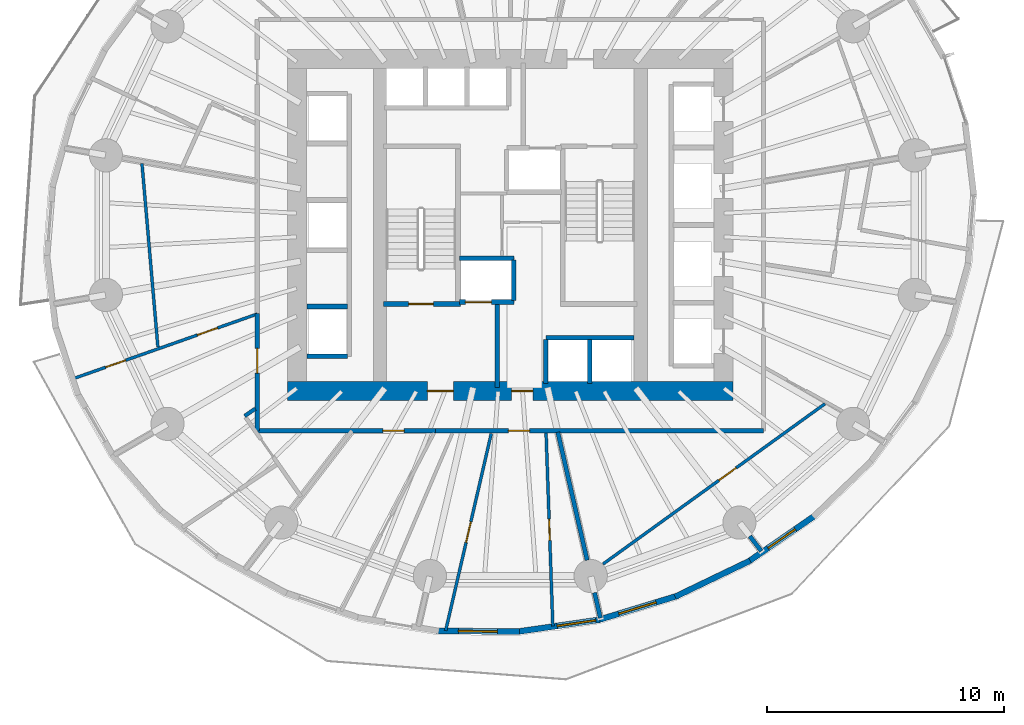
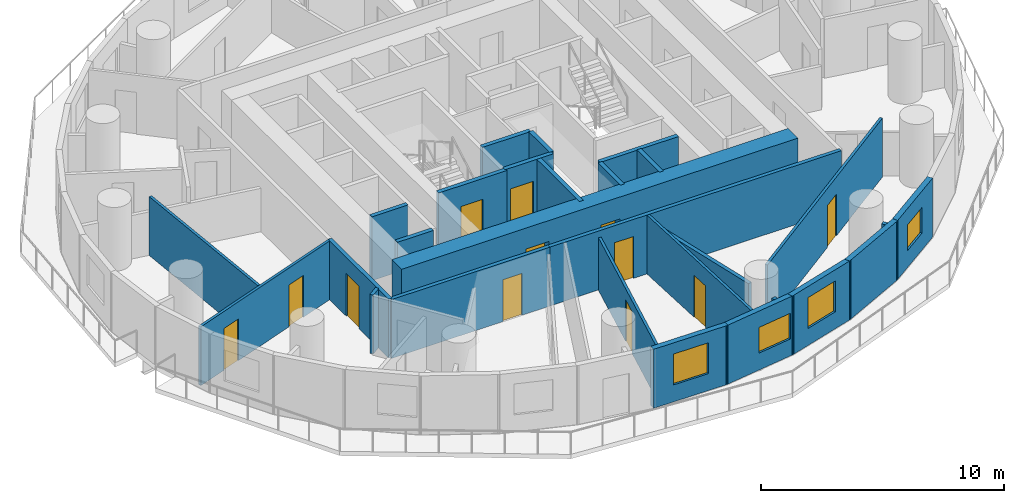
# One storey, part 5 of 13: 28 walls, 12 doors, 4 windows, 16 openings.
"""IFC4 building model written with IfcOpenShell, lengths in metres."""

from ifc_helpers import new_model, si_unit, direction, frame, frame_2d, origin, place, context, subcontext, project, spatial, rectangle, extrude, material, layer, layer_set, type_object, element, fill, save


model = new_model("IFC4")

# Units and contexts
model_context = context("Model", 3, precision=1e-05, world=origin(), true_north=direction((0.0, 1.0)))
body_context = subcontext(model_context, "Body", "Model", "MODEL_VIEW")
ifc_project = project(units=[si_unit("LENGTHUNIT", "METRE"), si_unit("AREAUNIT", "SQUARE_METRE"), si_unit("VOLUMEUNIT", "CUBIC_METRE"), si_unit("PLANEANGLEUNIT", "RADIAN"), si_unit("MASSUNIT", "GRAM", prefix="KILO")], contexts=[model_context])

# Site, building, storey
site_placement = place(None, origin())
site = spatial("IfcSite", under=ifc_project, at=site_placement, CompositionType="ELEMENT")
building_placement = place(site_placement, origin())
building = spatial("IfcBuilding", under=site, at=building_placement, Name="Veldorim Arch Residences", CompositionType="ELEMENT")
storey_placement = place(building_placement, frame((0.0, 0.0, 53.60009765625)))
storey = spatial("IfcBuildingStorey", under=building, at=storey_placement, Name="L15", CompositionType="ELEMENT", Elevation=53.60009765625)

# Wall, opening, door
ifc_material_1 = material(Name="Acoustic Gypsum Board", Category="gypsum")
ifc_layer_1 = layer(ifc_material_1, 0.125, Name="Acoustic Stud Room Partition Wall 125")
ifc_layer_set_1 = layer_set([ifc_layer_1], Name="Acoustic Gypsum Board")
wall_type_1 = type_object("IfcWallType", Name="Acoustic Stud Room Partition Wall 125", PredefinedType="PARTITIONING", material=ifc_layer_set_1)
wall_1_placement = place(storey_placement, frame((33.5087890625, 15.22021484375, 0.0), z_axis=(0.0, 0.0, 1.0), x_axis=(0.035033610305, -0.999386134659, 0.0)))
wall_1 = element("IfcWall", 1, at=wall_1_placement, inside=storey, type_object=wall_type_1, Name="L15 interior wall WL-RES-L15-010", PredefinedType="PARTITIONING", context=body_context, shape_type="SweptSolid", body=[
    extrude(rectangle(XDim=8.153564453125, YDim=0.125, at=frame_2d((4.07666015625, 0.0))), origin(), (0.0, 0.0, 1.0), 2.954833984375),
])
opening_1_placement = place(wall_1_placement, frame((3.626708984375, 0.0, 0.0)))
opening_1 = element("IfcOpeningElement", 2, at=opening_1_placement, cuts=wall_1, Name="Opening DR-INT", PredefinedType="OPENING", context=body_context, shape_type="SweptSolid", body=[
    extrude(rectangle(XDim=0.89990234375, YDim=2.10009765625, at=frame_2d((0.449951171875, 1.050048828125))), frame((0.0, 0.072509765625, 0.0), z_axis=(0.0, -1.0, 0.0), x_axis=(1.0, 0.0, 0.0)), (0.0, 0.0, 1.0), 0.14501953125),
])
ifc_material_2 = material(Name="Engineered Timber", Category="wood")
door_type_1 = type_object("IfcDoorType", Name="Apartment Internal Room Timber Door 900x2100", OperationType="SINGLE_SWING_LEFT", PredefinedType="DOOR", material=ifc_material_2)
door_1_placement = place(opening_1_placement, origin())
door_1 = element("IfcDoor", 3, at=door_1_placement, inside=storey, type_object=door_type_1, Name="L15 interior door DR-RES-L15-003", OperationType="SINGLE_SWING_LEFT", OverallHeight=2.10009765625, OverallWidth=0.89990234375, PredefinedType="DOOR", context=body_context, shape_type="SweptSolid", body=[
    extrude(rectangle(XDim=0.89990234375, YDim=2.10009765625, at=frame_2d((0.449951171875, 1.050048828125))), frame((0.0, 0.02490234375, 0.0), z_axis=(0.0, -1.0, 0.0), x_axis=(1.0, 0.0, 0.0)), (0.0, 0.0, 1.0), 0.050048828125),
])
fill(opening_1, door_1)

wall_2_placement = place(storey_placement, frame((29.27197265625, 6.88623046875, 0.0), z_axis=(0.0, 0.0, 1.0), x_axis=(0.225419243566, 0.974261856294, 0.0)))
wall_2 = element("IfcWall", 4, at=wall_2_placement, inside=storey, type_object=wall_type_1, Name="L15 interior wall WL-RES-L15-011", PredefinedType="PARTITIONING", context=body_context, shape_type="SweptSolid", body=[
    extrude(rectangle(XDim=8.53662109375, YDim=0.125, at=frame_2d((4.268310546875, 0.0))), origin(), (0.0, 0.0, 1.0), 2.641357421875),
])
opening_2_placement = place(wall_2_placement, frame((3.818359375, 0.0, 0.0)))
opening_2 = element("IfcOpeningElement", 5, at=opening_2_placement, cuts=wall_2, Name="Opening DR-INT", PredefinedType="OPENING", context=body_context, shape_type="SweptSolid", body=[
    extrude(rectangle(XDim=0.89990234375, YDim=2.10009765625, at=frame_2d((0.449951171875, 1.050048828125))), frame((0.0, 0.072509765625, 0.0), z_axis=(0.0, -1.0, 0.0), x_axis=(1.0, 0.0, 0.0)), (0.0, 0.0, 1.0), 0.14501953125),
])
door_2_placement = place(opening_2_placement, origin())
door_2 = element("IfcDoor", 6, at=door_2_placement, inside=storey, type_object=door_type_1, Name="L15 interior door DR-RES-L15-004", OperationType="SINGLE_SWING_RIGHT", OverallHeight=2.10009765625, OverallWidth=0.89990234375, PredefinedType="DOOR", context=body_context, shape_type="SweptSolid", body=[
    extrude(rectangle(XDim=0.89990234375, YDim=2.10009765625, at=frame_2d((0.449951171875, 1.050048828125))), frame((0.0, 0.02490234375, 0.0), z_axis=(0.0, -1.0, 0.0), x_axis=(1.0, 0.0, 0.0)), (0.0, 0.0, 1.0), 0.050048828125),
])
fill(opening_2, door_2)

wall_3_placement = place(storey_placement, frame((45.27783203125, 16.458984375, 0.0), z_axis=(0.0, 0.0, 1.0), x_axis=(-0.810668637761, -0.585505217526, 0.0)))
wall_3 = element("IfcWall", 7, at=wall_3_placement, inside=storey, type_object=wall_type_1, Name="L15 interior wall WL-RES-L15-022", PredefinedType="PARTITIONING", context=body_context, shape_type="SweptSolid", body=[
    extrude(rectangle(XDim=11.5498046875, YDim=0.125, at=frame_2d((5.77490234375, 0.0))), origin(), (0.0, 0.0, 1.0), 2.954833984375),
])
opening_3_placement = place(wall_3_placement, frame((4.625, 0.0, 0.0)))
opening_3 = element("IfcOpeningElement", 8, at=opening_3_placement, cuts=wall_3, Name="Opening DR-INT", PredefinedType="OPENING", context=body_context, shape_type="SweptSolid", body=[
    extrude(rectangle(XDim=0.89990234375, YDim=2.10009765625, at=frame_2d((0.449951171875, 1.050048828125))), frame((0.0, 0.072509765625, 0.0), z_axis=(0.0, -1.0, 0.0), x_axis=(1.0, 0.0, 0.0)), (0.0, 0.0, 1.0), 0.14501953125),
])
door_3_placement = place(opening_3_placement, origin())
door_3 = element("IfcDoor", 9, at=door_3_placement, inside=storey, type_object=door_type_1, Name="L15 interior door DR-RES-L15-009", OperationType="SINGLE_SWING_LEFT", OverallHeight=2.10009765625, OverallWidth=0.89990234375, PredefinedType="DOOR", context=body_context, shape_type="SweptSolid", body=[
    extrude(rectangle(XDim=0.89990234375, YDim=2.10009765625, at=frame_2d((0.449951171875, 1.050048828125))), frame((0.0, 0.02490234375, 0.0), z_axis=(0.0, -1.0, 0.0), x_axis=(1.0, 0.0, 0.0)), (0.0, 0.0, 1.0), 0.050048828125),
])
fill(opening_3, door_3)

# Wall, openings, doors
wall_4_placement = place(storey_placement, frame((13.542724609375, 17.514892578125, 0.0), z_axis=(0.0, 0.0, 1.0), x_axis=(0.943466147543, 0.331468895131, 0.0)))
wall_4 = element("IfcWall", 10, at=wall_4_placement, inside=storey, type_object=wall_type_1, Name="L15 interior wall WL-RES-L15-040", PredefinedType="PARTITIONING", context=body_context, shape_type="SweptSolid", body=[
    extrude(rectangle(XDim=8.243408203125, YDim=0.125, at=frame_2d((4.12158203125, 0.0))), origin(), (0.0, 0.0, 1.0), 2.954833984375),
])
opening_4_placement = place(wall_4_placement, frame((1.46337890625, 0.0, 0.0)))
opening_4 = element("IfcOpeningElement", 11, at=opening_4_placement, cuts=wall_4, Name="Opening DR-INT", PredefinedType="OPENING", context=body_context, shape_type="SweptSolid", body=[
    extrude(rectangle(XDim=0.89990234375, YDim=2.10009765625, at=frame_2d((0.449951171875, 1.050048828125))), frame((0.0, 0.072509765625, 0.0), z_axis=(0.0, -1.0, 0.0), x_axis=(1.0, 0.0, 0.0)), (0.0, 0.0, 1.0), 0.14501953125),
])
opening_5_placement = place(wall_4_placement, frame((5.564697265625, 0.0, 0.0)))
opening_5 = element("IfcOpeningElement", 12, at=opening_5_placement, cuts=wall_4, Name="Opening DR-INT", PredefinedType="OPENING", context=body_context, shape_type="SweptSolid", body=[
    extrude(rectangle(XDim=0.89990234375, YDim=2.10009765625, at=frame_2d((0.449951171875, 1.050048828125))), frame((0.0, 0.072509765625, 0.0), z_axis=(0.0, -1.0, 0.0), x_axis=(1.0, 0.0, 0.0)), (0.0, 0.0, 1.0), 0.14501953125),
])
door_4_placement = place(opening_4_placement, origin())
door_4 = element("IfcDoor", 13, at=door_4_placement, inside=storey, type_object=door_type_1, Name="L15 interior door DR-RES-L15-027", OperationType="SINGLE_SWING_LEFT", OverallHeight=2.10009765625, OverallWidth=0.89990234375, PredefinedType="DOOR", context=body_context, shape_type="SweptSolid", body=[
    extrude(rectangle(XDim=0.89990234375, YDim=2.10009765625, at=frame_2d((0.449951171875, 1.050048828125))), frame((0.0, 0.02490234375, 0.0), z_axis=(0.0, -1.0, 0.0), x_axis=(1.0, 0.0, 0.0)), (0.0, 0.0, 1.0), 0.050048828125),
])
fill(opening_4, door_4)
door_5_placement = place(opening_5_placement, origin())
door_5 = element("IfcDoor", 14, at=door_5_placement, inside=storey, type_object=door_type_1, Name="L15 interior door DR-RES-L15-028", OperationType="SINGLE_SWING_RIGHT", OverallHeight=2.10009765625, OverallWidth=0.89990234375, PredefinedType="DOOR", context=body_context, shape_type="SweptSolid", body=[
    extrude(rectangle(XDim=0.89990234375, YDim=2.10009765625, at=frame_2d((0.449951171875, 1.050048828125))), frame((0.0, 0.02490234375, 0.0), z_axis=(0.0, -1.0, 0.0), x_axis=(1.0, 0.0, 0.0)), (0.0, 0.0, 1.0), 0.050048828125),
])
fill(opening_5, door_5)

# Walls
wall_5_placement = place(storey_placement, frame((16.45458984375, 26.60498046875, 0.0), z_axis=(0.0, 0.0, 1.0), x_axis=(0.086414248462, -0.996259292385, 0.0)))
element("IfcWall", 15, at=wall_5_placement, inside=storey, type_object=wall_type_1, Name="L15 interior wall WL-RES-L15-043", PredefinedType="PARTITIONING", context=body_context, shape_type="SweptSolid", body=[
    extrude(rectangle(XDim=7.77783203125, YDim=0.125, at=frame_2d((3.888916015625, 0.0))), origin(), (0.0, 0.0, 1.0), 2.954833984375),
])
ifc_material_3 = material(Name="Lightweight Masonry Block & Gypsum", Category="masonry")
ifc_layer_2 = layer(ifc_material_3, 0.179931640625, Name="Compartment & Corridor Fire-Rated Party Wall 180")
ifc_layer_set_2 = layer_set([ifc_layer_2], Name="Lightweight Masonry Block & Gypsum")
wall_type_2 = type_object("IfcWallType", Name="Compartment & Corridor Fire-Rated Party Wall 180", PredefinedType="PARTITIONING", material=ifc_layer_set_2)
wall_6_placement = place(storey_placement, frame((35.555419921875, 8.48828125, 0.0), z_axis=(0.0, 0.0, 1.0), x_axis=(0.223512485262, -0.974701066446, 0.0)))
element("IfcWall", 16, at=wall_6_placement, inside=storey, type_object=wall_type_2, Name="L15 interior wall WL-PIER-L15-13", PredefinedType="PARTITIONING", context=body_context, shape_type="SweptSolid", body=[
    extrude(rectangle(XDim=1.098876953125, YDim=0.179931640625, at=frame_2d((0.54931640625, 0.0))), origin(), (0.0, 0.0, 1.0), 2.17822265625),
])
wall_7_placement = place(storey_placement, frame((42.106201171875, 10.874267578125, 0.0), z_axis=(0.0, 0.0, 1.0), x_axis=(0.609961416057, -0.792431114307, 0.0)))
element("IfcWall", 17, at=wall_7_placement, inside=storey, type_object=wall_type_2, Name="L15 interior wall WL-PIER-L15-14", PredefinedType="PARTITIONING", context=body_context, shape_type="SweptSolid", body=[
    extrude(rectangle(XDim=0.800048828125, YDim=0.179931640625, at=frame_2d((0.39990234375, 0.0))), origin(), (0.0, 0.0, 1.0), 2.17822265625),
])

# Wall, opening, door
wall_8_placement = place(storey_placement, frame((42.679931640625, 15.320068359375, 0.0), z_axis=(0.0, 0.0, 1.0), x_axis=(-1.0, 0.0, 0.0)))
wall_8 = element("IfcWall", 18, at=wall_8_placement, inside=storey, type_object=wall_type_2, Name="L15 interior wall WL-RES-L15-001", PredefinedType="PARTITIONING", context=body_context, shape_type="SweptSolid", body=[
    extrude(rectangle(XDim=13.8701171875, YDim=0.179931640625, at=frame_2d((6.93505859375, 0.0))), origin(), (0.0, 0.0, 1.0), 2.954833984375),
])
opening_6_placement = place(wall_8_placement, frame((9.865966796875, 0.0, 0.0)))
opening_6 = element("IfcOpeningElement", 19, at=opening_6_placement, cuts=wall_8, Name="Opening DR-SVC", PredefinedType="OPENING", context=body_context, shape_type="SweptSolid", body=[
    extrude(rectangle(XDim=0.89990234375, YDim=2.10009765625, at=frame_2d((0.449951171875, 1.050048828125))), frame((0.0, 0.099853515625, 0.0), z_axis=(0.0, -1.0, 0.0), x_axis=(1.0, 0.0, 0.0)), (0.0, 0.0, 1.0), 0.199951171875),
])
ifc_material_4 = material(Name="Fire-Rated Steel", Category="steel")
door_type_2 = type_object("IfcDoorType", Name="Riser, Shelter & Plant Room Rated Steel Door 900x2100", OperationType="SINGLE_SWING_LEFT", PredefinedType="DOOR", material=ifc_material_4)
door_6_placement = place(opening_6_placement, origin())
door_6 = element("IfcDoor", 20, at=door_6_placement, inside=storey, type_object=door_type_2, Name="L15 interior door DR-RES-L15-001", OperationType="SINGLE_SWING_LEFT", OverallHeight=2.10009765625, OverallWidth=0.89990234375, PredefinedType="DOOR", context=body_context, shape_type="SweptSolid", body=[
    extrude(rectangle(XDim=0.89990234375, YDim=2.10009765625, at=frame_2d((0.449951171875, 1.050048828125))), frame((0.0, 0.02490234375, 0.0), z_axis=(0.0, -1.0, 0.0), x_axis=(1.0, 0.0, 0.0)), (0.0, 0.0, 1.0), 0.050048828125),
])
fill(opening_6, door_6)

wall_9_placement = place(storey_placement, frame((28.852294921875, 15.320068359375, 0.0), z_axis=(0.0, 0.0, 1.0), x_axis=(-1.0, 0.0, 0.0)))
wall_9 = element("IfcWall", 21, at=wall_9_placement, inside=storey, type_object=wall_type_2, Name="L15 interior wall WL-RES-L15-002", PredefinedType="PARTITIONING", context=body_context, shape_type="SweptSolid", body=[
    extrude(rectangle(XDim=7.5322265625, YDim=0.179931640625, at=frame_2d((3.76611328125, 0.0))), origin(), (0.0, 0.0, 1.0), 2.954833984375),
])
opening_7_placement = place(wall_9_placement, frame((1.330322265625, 0.0, 0.0)))
opening_7 = element("IfcOpeningElement", 22, at=opening_7_placement, cuts=wall_9, Name="Opening DR-INT", PredefinedType="OPENING", context=body_context, shape_type="SweptSolid", body=[
    extrude(rectangle(XDim=0.89990234375, YDim=2.10009765625, at=frame_2d((0.449951171875, 1.050048828125))), frame((0.0, 0.099853515625, 0.0), z_axis=(0.0, -1.0, 0.0), x_axis=(1.0, 0.0, 0.0)), (0.0, 0.0, 1.0), 0.199951171875),
])
door_7_placement = place(opening_7_placement, origin())
door_7 = element("IfcDoor", 23, at=door_7_placement, inside=storey, type_object=door_type_1, Name="L15 interior door DR-RES-L15-002", OperationType="SINGLE_SWING_RIGHT", OverallHeight=2.10009765625, OverallWidth=0.89990234375, PredefinedType="DOOR", context=body_context, shape_type="SweptSolid", body=[
    extrude(rectangle(XDim=0.89990234375, YDim=2.10009765625, at=frame_2d((0.449951171875, 1.050048828125))), frame((0.0, 0.02490234375, 0.0), z_axis=(0.0, -1.0, 0.0), x_axis=(1.0, 0.0, 0.0)), (0.0, 0.0, 1.0), 0.050048828125),
])
fill(opening_7, door_7)

wall_10_placement = place(storey_placement, frame((21.320068359375, 15.320068359375, 0.0), z_axis=(0.0, 0.0, 1.0), x_axis=(0.0, 1.0, 0.0)))
wall_10 = element("IfcWall", 24, at=wall_10_placement, inside=storey, type_object=wall_type_2, Name="L15 interior wall WL-RES-L15-009", PredefinedType="PARTITIONING", context=body_context, shape_type="SweptSolid", body=[
    extrude(rectangle(XDim=4.947265625, YDim=0.179931640625, at=frame_2d((2.4736328125, 0.0))), origin(), (0.0, 0.0, 1.0), 2.954833984375),
])
opening_8_placement = place(wall_10_placement, frame((2.43212890625, 0.0, 0.0)))
opening_8 = element("IfcOpeningElement", 25, at=opening_8_placement, cuts=wall_10, Name="Opening DR-FLT", PredefinedType="OPENING", context=body_context, shape_type="SweptSolid", body=[
    extrude(rectangle(XDim=1.050048828125, YDim=2.14990234375, at=frame_2d((0.52490234375, 1.074951171875))), frame((0.0, 0.099853515625, 0.0), z_axis=(0.0, -1.0, 0.0), x_axis=(1.0, 0.0, 0.0)), (0.0, 0.0, 1.0), 0.199951171875),
])
ifc_material_5 = material(Name="Fire-Rated Timber", Category="wood")
door_type_3 = type_object("IfcDoorType", Name="Apartment Entrance Solid-Core Fire Door 1050x2150", OperationType="SINGLE_SWING_LEFT", PredefinedType="DOOR", material=ifc_material_5)
door_8_placement = place(opening_8_placement, origin())
door_8 = element("IfcDoor", 26, at=door_8_placement, inside=storey, type_object=door_type_3, Name="L15 interior door DR-RES-L15-025", OperationType="SINGLE_SWING_LEFT", OverallHeight=2.14990234375, OverallWidth=1.050048828125, PredefinedType="DOOR", context=body_context, shape_type="SweptSolid", body=[
    extrude(rectangle(XDim=1.050048828125, YDim=2.14990234375, at=frame_2d((0.52490234375, 1.074951171875))), frame((0.0, 0.02490234375, 0.0), z_axis=(0.0, -1.0, 0.0), x_axis=(1.0, 0.0, 0.0)), (0.0, 0.0, 1.0), 0.050048828125),
])
fill(opening_8, door_8)

# Wall
wall_11_placement = place(storey_placement, frame((34.0029296875, 15.261474609375, 0.0), z_axis=(0.0, 0.0, 1.0), x_axis=(0.22340578764, -0.974725527546, 0.0)))
element("IfcWall", 27, at=wall_11_placement, inside=storey, type_object=wall_type_2, Name="L15 interior wall WL-RES-L15-014", PredefinedType="PARTITIONING", context=body_context, shape_type="SweptSolid", body=[
    extrude(rectangle(XDim=5.544921875, YDim=0.179931640625, at=frame_2d((2.7724609375, 0.0))), origin(), (0.0, 0.0, 1.0), 2.17822265625),
])

# Wall, opening, door
ifc_material_6 = material(Name="Concrete C50/60", Category="concrete")
ifc_layer_3 = layer(ifc_material_6, 0.199951171875, Name="Core Stair & Lift Shaft Enclosure Wall 200")
ifc_layer_set_3 = layer_set([ifc_layer_3], Name="Concrete C50/60")
wall_type_3 = type_object("IfcWallType", Name="Core Stair & Lift Shaft Enclosure Wall 200", PredefinedType="SHEAR", material=ifc_layer_set_3)
wall_12_placement = place(storey_placement, frame((26.64990234375, 20.669921875, 0.0), z_axis=(0.0, 0.0, 1.0), x_axis=(1.0, 0.0, 0.0)))
wall_12 = element("IfcWall", 28, at=wall_12_placement, inside=storey, type_object=wall_type_3, Name="L15 shaft wall WL-SHF-L15-ST1-S", PredefinedType="SHEAR", context=body_context, shape_type="SweptSolid", body=[
    extrude(rectangle(XDim=3.239990234375, YDim=0.199951171875, at=frame_2d((1.6201171875, 0.0))), origin(), (0.0, 0.0, 1.0), 3.199951171875),
])
opening_9_placement = place(wall_12_placement, frame((1.054931640625, 0.0, 0.0)))
opening_9 = element("IfcOpeningElement", 29, at=opening_9_placement, cuts=wall_12, Name="Opening DR-ST", PredefinedType="OPENING", context=body_context, shape_type="SweptSolid", body=[
    extrude(rectangle(XDim=1.050048828125, YDim=2.14990234375, at=frame_2d((0.52490234375, 1.074951171875))), frame((0.0, 0.10986328125, 0.0), z_axis=(0.0, -1.0, 0.0), x_axis=(1.0, 0.0, 0.0)), (0.0, 0.0, 1.0), 0.219970703125),
])
ifc_material_7 = material(Name="Fire-Rated Steel", Category="steel")
door_type_4 = type_object("IfcDoorType", Name="Exit Staircase Self-Closing Fire Door 1050x2150", OperationType="SINGLE_SWING_LEFT", PredefinedType="DOOR", material=ifc_material_7)
door_9_placement = place(opening_9_placement, origin())
door_9 = element("IfcDoor", 30, at=door_9_placement, inside=storey, type_object=door_type_4, Name="L15 interior door DR-L15-ST1", OperationType="SINGLE_SWING_LEFT", OverallHeight=2.14990234375, OverallWidth=1.050048828125, PredefinedType="DOOR", context=body_context, shape_type="SweptSolid", body=[
    extrude(rectangle(XDim=1.050048828125, YDim=2.14990234375, at=frame_2d((0.52490234375, 1.074951171875))), frame((0.0, 0.02490234375, 0.0), z_axis=(0.0, -1.0, 0.0), x_axis=(1.0, 0.0, 0.0)), (0.0, 0.0, 1.0), 0.050048828125),
])
fill(opening_9, door_9)

# Wall
wall_13_placement = place(storey_placement, frame((31.449951171875, 17.14990234375, 0.0), z_axis=(0.0, 0.0, 1.0), x_axis=(0.0, 1.0, 0.0)))
element("IfcWall", 31, at=wall_13_placement, inside=storey, type_object=wall_type_3, Name="L15 shaft wall WL-FFL1-L15-E", PredefinedType="SHEAR", context=body_context, shape_type="SweptSolid", body=[
    extrude(rectangle(XDim=3.5, YDim=0.199951171875, at=frame_2d((1.75, 0.0))), origin(), (0.0, 0.0, 1.0), 3.199951171875),
])

# Wall, opening, door
wall_14_placement = place(storey_placement, frame((29.85009765625, 20.75, 0.0), z_axis=(0.0, 0.0, 1.0), x_axis=(1.0, 0.0, 0.0)))
wall_14 = element("IfcWall", 32, at=wall_14_placement, inside=storey, type_object=wall_type_3, Name="L15 shaft wall WL-FL01-L15-S", PredefinedType="SHEAR", context=body_context, shape_type="SweptSolid", body=[
    extrude(rectangle(XDim=2.2998046875, YDim=0.199951171875, at=frame_2d((1.14990234375, 0.0))), origin(), (0.0, 0.0, 1.0), 3.199951171875),
])
opening_10_placement = place(wall_14_placement, frame((0.25, 0.0, 0.0)))
opening_10 = element("IfcOpeningElement", 33, at=opening_10_placement, cuts=wall_14, Name="Opening LD-FF", PredefinedType="OPENING", context=body_context, shape_type="SweptSolid", body=[
    extrude(rectangle(XDim=1.10009765625, YDim=2.14990234375, at=frame_2d((0.550048828125, 1.074951171875))), frame((0.0, 0.10986328125, 0.0), z_axis=(0.0, -1.0, 0.0), x_axis=(1.0, 0.0, 0.0)), (0.0, 0.0, 1.0), 0.219970703125),
])
ifc_material_8 = material(Name="Stainless Steel", Category="steel")
door_type_5 = type_object("IfcDoorType", Name="Firefighting Lift Bi-Parting Sliding Landing Door 1100x2150", OperationType="DOUBLE_DOOR_SLIDING", PredefinedType="DOOR", material=ifc_material_8)
door_10_placement = place(opening_10_placement, origin())
door_10 = element("IfcDoor", 34, at=door_10_placement, inside=storey, type_object=door_type_5, Name="L15 lift landing door LD-L15-FL01", OperationType="DOUBLE_DOOR_SLIDING", OverallHeight=2.14990234375, OverallWidth=1.10009765625, PredefinedType="DOOR", context=body_context, shape_type="SweptSolid", body=[
    extrude(rectangle(XDim=1.10009765625, YDim=2.14990234375, at=frame_2d((0.550048828125, 1.074951171875))), frame((0.0, 0.02490234375, 0.0), z_axis=(0.0, -1.0, 0.0), x_axis=(1.0, 0.0, 0.0)), (0.0, 0.0, 1.0), 0.050048828125),
])
fill(opening_10, door_10)

# Walls
wall_15_placement = place(storey_placement, frame((29.85009765625, 22.60009765625, 0.0), z_axis=(0.0, 0.0, 1.0), x_axis=(1.0, 0.0, 0.0)))
element("IfcWall", 35, at=wall_15_placement, inside=storey, type_object=wall_type_3, Name="L15 shaft wall WL-FL01-L15-N", PredefinedType="SHEAR", context=body_context, shape_type="SweptSolid", body=[
    extrude(rectangle(XDim=2.2998046875, YDim=0.199951171875, at=frame_2d((1.14990234375, 0.0))), origin(), (0.0, 0.0, 1.0), 3.199951171875),
])
for number, where, z_axis, x_axis, name in (
    (36, (32.14990234375, 20.820068359375, 0.0), (0.0, 0.0, 1.0), (0.0, 1.0, 0.0), "L15 shaft wall WL-FL01-L15-E"),
    (37, (23.419921875, 18.4599609375, 0.0), (0.0, 0.0, 1.0), (1.0, 0.0, 0.0), "L15 shaft wall WL-B2-L15-S"),
    (38, (23.419921875, 20.56005859375, 0.0), (0.0, 0.0, 1.0), (1.0, 0.0, 0.0), "L15 shaft wall WL-B2-L15-D1A"),
):
    element("IfcWall", number, at=place(storey_placement, frame(where, z_axis=z_axis, x_axis=x_axis)), inside=storey, type_object=wall_type_3, Name=name, PredefinedType="SHEAR", context=body_context, shape_type="SweptSolid", body=[
        extrude(rectangle(XDim=1.7099609375, YDim=0.199951171875, at=frame_2d((0.85498046875, 0.0))), origin(), (0.0, 0.0, 1.0), 3.199951171875),
    ])
wall_16_placement = place(storey_placement, frame((33.5, 19.25, 0.0), z_axis=(0.0, 0.0, 1.0), x_axis=(1.0, 0.0, 0.0)))
element("IfcWall", 39, at=wall_16_placement, inside=storey, type_object=wall_type_3, Name="L15 shaft wall WL-OL-L15-N", PredefinedType="SHEAR", context=body_context, shape_type="SweptSolid", body=[
    extrude(rectangle(XDim=3.719970703125, YDim=0.199951171875, at=frame_2d((1.85986328125, 0.0))), origin(), (0.0, 0.0, 1.0), 3.199951171875),
])
for number, where, z_axis, x_axis, name in (
    (40, (33.5, 17.320068359375, 0.0), (0.0, 0.0, 1.0), (0.0, 1.0, 0.0), "L15 shaft wall WL-OL-L15-W"),
    (41, (35.35009765625, 17.320068359375, 0.0), (0.0, 0.0, 1.0), (0.0, 1.0, 0.0), "L15 shaft wall WL-OL-L15-D1"),
):
    element("IfcWall", number, at=place(storey_placement, frame(where, z_axis=z_axis, x_axis=x_axis)), inside=storey, type_object=wall_type_3, Name=name, PredefinedType="SHEAR", context=body_context, shape_type="SweptSolid", body=[
        extrude(rectangle(XDim=1.85986328125, YDim=0.199951171875, at=frame_2d((0.929931640625, 0.0))), origin(), (0.0, 0.0, 1.0), 3.199951171875),
    ])

# Wall, openings, doors
ifc_material_9 = material(Name="Concrete C60/75", Category="concrete")
ifc_layer_4 = layer(ifc_material_9, 0.800048828125, Name="Lower Central Core Shear Wall 800")
ifc_layer_set_4 = layer_set([ifc_layer_4], Name="Concrete C60/75")
wall_type_4 = type_object("IfcWallType", Name="Lower Central Core Shear Wall 800", PredefinedType="SHEAR", material=ifc_layer_set_4)
wall_17_placement = place(storey_placement, frame((22.60009765625, 17.0, 0.0), z_axis=(0.0, 0.0, 1.0), x_axis=(1.0, 0.0, 0.0)))
wall_17 = element("IfcWall", 42, at=wall_17_placement, inside=storey, type_object=wall_type_4, Name="L15 central core south shear wall", PredefinedType="SHEAR", context=body_context, shape_type="SweptSolid", body=[
    extrude(rectangle(XDim=18.7998046875, YDim=0.800048828125, at=frame_2d((9.39990234375, 0.0))), origin(), (0.0, 0.0, 1.0), 3.199951171875),
])
opening_11_placement = place(wall_17_placement, frame((5.89990234375, 0.0, 0.0)))
opening_11 = element("IfcOpeningElement", 43, at=opening_11_placement, cuts=wall_17, Name="Opening DR-FFL", PredefinedType="OPENING", context=body_context, shape_type="SweptSolid", body=[
    extrude(rectangle(XDim=1.10009765625, YDim=2.14990234375, at=frame_2d((0.550048828125, 1.074951171875))), frame((0.0, 0.409912109375, 0.0), z_axis=(0.0, -1.0, 0.0), x_axis=(1.0, 0.0, 0.0)), (0.0, 0.0, 1.0), 0.820068359375),
])
opening_12_placement = place(wall_17_placement, frame((9.449951171875, 0.0, 0.0)))
opening_12 = element("IfcOpeningElement", 44, at=opening_12_placement, cuts=wall_17, Name="Opening DR-SVC", PredefinedType="OPENING", context=body_context, shape_type="SweptSolid", body=[
    extrude(rectangle(XDim=0.89990234375, YDim=2.10009765625, at=frame_2d((0.449951171875, 1.050048828125))), frame((0.0, 0.409912109375, 0.0), z_axis=(0.0, -1.0, 0.0), x_axis=(1.0, 0.0, 0.0)), (0.0, 0.0, 1.0), 0.820068359375),
])
ifc_material_10 = material(Name="Fire-Rated Steel & Vision Glass", Category="steel")
door_type_6 = type_object("IfcDoorType", Name="Firefighting Lobby Smoke-Stop Fire Door 1100x2150", OperationType="SINGLE_SWING_LEFT", PredefinedType="DOOR", material=ifc_material_10)
door_11_placement = place(opening_11_placement, origin())
door_11 = element("IfcDoor", 45, at=door_11_placement, inside=storey, type_object=door_type_6, Name="L15 interior door DR-L15-FFL1", OperationType="SINGLE_SWING_RIGHT", OverallHeight=2.14990234375, OverallWidth=1.10009765625, PredefinedType="DOOR", context=body_context, shape_type="SweptSolid", body=[
    extrude(rectangle(XDim=1.10009765625, YDim=2.14990234375, at=frame_2d((0.550048828125, 1.074951171875))), frame((0.0, 0.02490234375, 0.0), z_axis=(0.0, -1.0, 0.0), x_axis=(1.0, 0.0, 0.0)), (0.0, 0.0, 1.0), 0.050048828125),
])
fill(opening_11, door_11)
door_12_placement = place(opening_12_placement, origin())
door_12 = element("IfcDoor", 46, at=door_12_placement, inside=storey, type_object=door_type_2, Name="L15 interior door DR-L15-COR-ANC", OperationType="SINGLE_SWING_LEFT", OverallHeight=2.10009765625, OverallWidth=0.89990234375, PredefinedType="DOOR", context=body_context, shape_type="SweptSolid", body=[
    extrude(rectangle(XDim=0.89990234375, YDim=2.10009765625, at=frame_2d((0.449951171875, 1.050048828125))), frame((0.0, 0.02490234375, 0.0), z_axis=(0.0, -1.0, 0.0), x_axis=(1.0, 0.0, 0.0)), (0.0, 0.0, 1.0), 0.050048828125),
])
fill(opening_12, door_12)

# Wall, opening, window
ifc_material_11 = material(Name="Precast concrete C40/50", Category="concrete")
ifc_layer_5 = layer(ifc_material_11, 0.25, Name="Tower Terracotta Spandrel & Pier Wall 250")
ifc_layer_set_5 = layer_set([ifc_layer_5], Name="Precast concrete C40/50")
wall_type_5 = type_object("IfcWallType", Name="Tower Terracotta Spandrel & Pier Wall 250", PredefinedType="SOLIDWALL", material=ifc_layer_set_5)
wall_18_placement = place(storey_placement, frame((32.3857421875, 6.84375, 0.0), z_axis=(0.0, 0.0, 1.0), x_axis=(-0.999961046076, 0.008826456273, 0.0)))
wall_18 = element("IfcWall", 47, at=wall_18_placement, inside=storey, type_object=wall_type_5, Name="L15 terracotta facade wall 26", PredefinedType="SOLIDWALL", context=body_context, shape_type="SweptSolid", body=[
    extrude(rectangle(XDim=3.512939453125, YDim=0.25, at=frame_2d((1.75634765625, 0.0))), origin(), (0.0, 0.0, 1.0), 2.9599609375),
])
opening_13_placement = place(wall_18_placement, frame((0.930908203125, 0.0, 0.85009765625)))
opening_13 = element("IfcOpeningElement", 48, at=opening_13_placement, cuts=wall_18, Name="Opening WN-03", PredefinedType="OPENING", context=body_context, shape_type="SweptSolid", body=[
    extrude(rectangle(XDim=1.64990234375, YDim=1.550048828125, at=frame_2d((0.824951171875, 0.77490234375))), frame((0.0, 0.135009765625, 0.0), z_axis=(0.0, -1.0, 0.0), x_axis=(1.0, 0.0, 0.0)), (0.0, 0.0, 1.0), 0.27001953125),
])
ifc_material_12 = material(Name="Laminated Low-E Glass", Category="glass")
window_type_1 = type_object("IfcWindowType", Name="Residential Wide Window 1650x1550", PartitioningType="SINGLE_PANEL", PredefinedType="WINDOW", material=ifc_material_12)
window_1_placement = place(opening_13_placement, origin())
window_1 = element("IfcWindow", 49, at=window_1_placement, inside=storey, type_object=window_type_1, Name="L15 solar-control facade window 26", OverallHeight=1.550048828125, OverallWidth=1.64990234375, PartitioningType="SINGLE_PANEL", PredefinedType="WINDOW", context=body_context, shape_type="SweptSolid", body=[
    extrude(rectangle(XDim=1.64990234375, YDim=1.550048828125, at=frame_2d((0.824951171875, 0.77490234375))), frame((0.0, 0.030029296875, 0.0), z_axis=(0.0, -1.0, 0.0), x_axis=(1.0, 0.0, 0.0)), (0.0, 0.0, 1.0), 0.06005859375),
])
fill(opening_13, window_1)

wall_19_placement = place(storey_placement, frame((35.77880859375, 7.344482421875, 0.0), z_axis=(0.0, 0.0, 1.0), x_axis=(-0.989638017979, -0.143584795051, 0.0)))
wall_19 = element("IfcWall", 50, at=wall_19_placement, inside=storey, type_object=wall_type_5, Name="L15 terracotta facade wall 27", PredefinedType="SOLIDWALL", context=body_context, shape_type="SweptSolid", body=[
    extrude(rectangle(XDim=3.538330078125, YDim=0.25, at=frame_2d((1.76904296875, 0.0))), origin(), (0.0, 0.0, 1.0), 2.9599609375),
])
opening_14_placement = place(wall_19_placement, frame((0.175048828125, 0.0, 0.85009765625)))
opening_14 = element("IfcOpeningElement", 51, at=opening_14_placement, cuts=wall_19, Name="Opening WN-03", PredefinedType="OPENING", context=body_context, shape_type="SweptSolid", body=[
    extrude(rectangle(XDim=1.64990234375, YDim=1.2900390625, at=frame_2d((0.824951171875, 0.64501953125))), frame((0.0, 0.135009765625, 0.0), z_axis=(0.0, -1.0, 0.0), x_axis=(1.0, 0.0, 0.0)), (0.0, 0.0, 1.0), 0.27001953125),
])
window_2_placement = place(opening_14_placement, origin())
window_2 = element("IfcWindow", 52, at=window_2_placement, inside=storey, type_object=window_type_1, Name="L15 solar-control facade window 27", OverallHeight=1.2900390625, OverallWidth=1.64990234375, PartitioningType="SINGLE_PANEL", PredefinedType="WINDOW", context=body_context, shape_type="SweptSolid", body=[
    extrude(rectangle(XDim=1.64990234375, YDim=1.2900390625, at=frame_2d((0.824951171875, 0.64501953125))), frame((0.0, 0.030029296875, 0.0), z_axis=(0.0, -1.0, 0.0), x_axis=(1.0, 0.0, 0.0)), (0.0, 0.0, 1.0), 0.06005859375),
])
fill(opening_14, window_2)

wall_20_placement = place(storey_placement, frame((39.05712890625, 8.35205078125, 0.0), z_axis=(0.0, 0.0, 1.0), x_axis=(-0.95658107252, -0.291466381759, 0.0)))
wall_20 = element("IfcWall", 53, at=wall_20_placement, inside=storey, type_object=wall_type_5, Name="L15 terracotta facade wall 28", PredefinedType="SOLIDWALL", context=body_context, shape_type="SweptSolid", body=[
    extrude(rectangle(XDim=3.5380859375, YDim=0.25, at=frame_2d((1.76904296875, 0.0))), origin(), (0.0, 0.0, 1.0), 2.9599609375),
])
opening_15_placement = place(wall_20_placement, frame((0.944091796875, 0.0, 0.85009765625)))
opening_15 = element("IfcOpeningElement", 54, at=opening_15_placement, cuts=wall_20, Name="Opening WN-03", PredefinedType="OPENING", context=body_context, shape_type="SweptSolid", body=[
    extrude(rectangle(XDim=1.64990234375, YDim=1.550048828125, at=frame_2d((0.824951171875, 0.77490234375))), frame((0.0, 0.135009765625, 0.0), z_axis=(0.0, -1.0, 0.0), x_axis=(1.0, 0.0, 0.0)), (0.0, 0.0, 1.0), 0.27001953125),
])
window_3_placement = place(opening_15_placement, origin())
window_3 = element("IfcWindow", 55, at=window_3_placement, inside=storey, type_object=window_type_1, Name="L15 solar-control facade window 28", OverallHeight=1.550048828125, OverallWidth=1.64990234375, PartitioningType="SINGLE_PANEL", PredefinedType="WINDOW", context=body_context, shape_type="SweptSolid", body=[
    extrude(rectangle(XDim=1.64990234375, YDim=1.550048828125, at=frame_2d((0.824951171875, 0.77490234375))), frame((0.0, 0.030029296875, 0.0), z_axis=(0.0, -1.0, 0.0), x_axis=(1.0, 0.0, 0.0)), (0.0, 0.0, 1.0), 0.06005859375),
])
fill(opening_15, window_3)

# Wall
wall_21_placement = place(storey_placement, frame((42.12109375, 9.8359375, 0.0), z_axis=(0.0, 0.0, 1.0), x_axis=(-0.901067057596, -0.433679787073, 0.0)))
element("IfcWall", 56, at=wall_21_placement, inside=storey, type_object=wall_type_5, Name="L15 terracotta facade wall 29", PredefinedType="SOLIDWALL", context=body_context, shape_type="SweptSolid", body=[
    extrude(rectangle(XDim=3.5126953125, YDim=0.25, at=frame_2d((1.75634765625, 0.0))), origin(), (0.0, 0.0, 1.0), 2.9599609375),
])

# Wall, opening, window
wall_22_placement = place(storey_placement, frame((44.876953125, 11.751220703125, 0.0), z_axis=(0.0, 0.0, 1.0), x_axis=(-0.822610496702, -0.568605285515, 0.0)))
wall_22 = element("IfcWall", 57, at=wall_22_placement, inside=storey, type_object=wall_type_5, Name="L15 terracotta facade wall 30", PredefinedType="SOLIDWALL", context=body_context, shape_type="SweptSolid", body=[
    extrude(rectangle(XDim=3.465087890625, YDim=0.25, at=frame_2d((1.732421875, 0.0))), origin(), (0.0, 0.0, 1.0), 2.9599609375),
])
opening_16_placement = place(wall_22_placement, frame((1.031982421875, 0.0, 0.85009765625)))
opening_16 = element("IfcOpeningElement", 58, at=opening_16_placement, cuts=wall_22, Name="Opening WN-02", PredefinedType="OPENING", context=body_context, shape_type="SweptSolid", body=[
    extrude(rectangle(XDim=1.39990234375, YDim=1.2900390625, at=frame_2d((0.699951171875, 0.64501953125))), frame((0.0, 0.135009765625, 0.0), z_axis=(0.0, -1.0, 0.0), x_axis=(1.0, 0.0, 0.0)), (0.0, 0.0, 1.0), 0.27001953125),
])
ifc_material_13 = material(Name="Laminated Low-E Glass", Category="glass")
window_type_2 = type_object("IfcWindowType", Name="Residential Casement Window 1400x1550", PartitioningType="SINGLE_PANEL", PredefinedType="WINDOW", material=ifc_material_13)
window_4_placement = place(opening_16_placement, origin())
window_4 = element("IfcWindow", 59, at=window_4_placement, inside=storey, type_object=window_type_2, Name="L15 solar-control facade window 30", OverallHeight=1.2900390625, OverallWidth=1.39990234375, PartitioningType="SINGLE_PANEL", PredefinedType="WINDOW", context=body_context, shape_type="SweptSolid", body=[
    extrude(rectangle(XDim=1.39990234375, YDim=1.2900390625, at=frame_2d((0.699951171875, 0.64501953125))), frame((0.0, 0.030029296875, 0.0), z_axis=(0.0, -1.0, 0.0), x_axis=(1.0, 0.0, 0.0)), (0.0, 0.0, 1.0), 0.06005859375),
])
fill(opening_16, window_4)

# Wall
ifc_material_14 = material(Name="Moisture-Resistant Gypsum & Stud", Category="gypsum")
ifc_layer_6 = layer(ifc_material_14, 0.159912109375, Name="Wet-Area Moisture-Resistant Plumbing Wall 160")
ifc_layer_set_6 = layer_set([ifc_layer_6], Name="Moisture-Resistant Gypsum & Stud")
wall_type_6 = type_object("IfcWallType", Name="Wet-Area Moisture-Resistant Plumbing Wall 160", PredefinedType="PLUMBINGWALL", material=ifc_layer_set_6)
wall_23_placement = place(storey_placement, frame((21.238037109375, 16.254150390625, 0.0), z_axis=(0.0, 0.0, 1.0), x_axis=(-0.819589255208, -0.572951527398, 0.0)))
element("IfcWall", 60, at=wall_23_placement, inside=storey, type_object=wall_type_6, Name="L15 interior wall WL-RES-L15-041", PredefinedType="PLUMBINGWALL", context=body_context, shape_type="SweptSolid", body=[
    extrude(rectangle(XDim=0.54541015625, YDim=0.159912109375, at=frame_2d((0.272705078125, 0.0))), origin(), (0.0, 0.0, 1.0), 2.954833984375),
])

save(model, "model.ifc")
